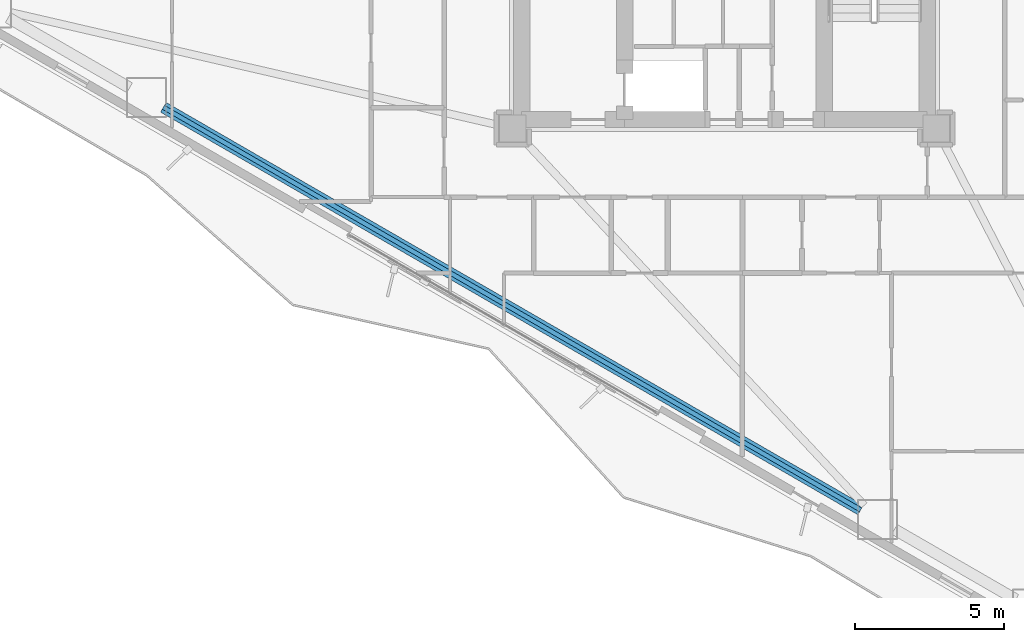
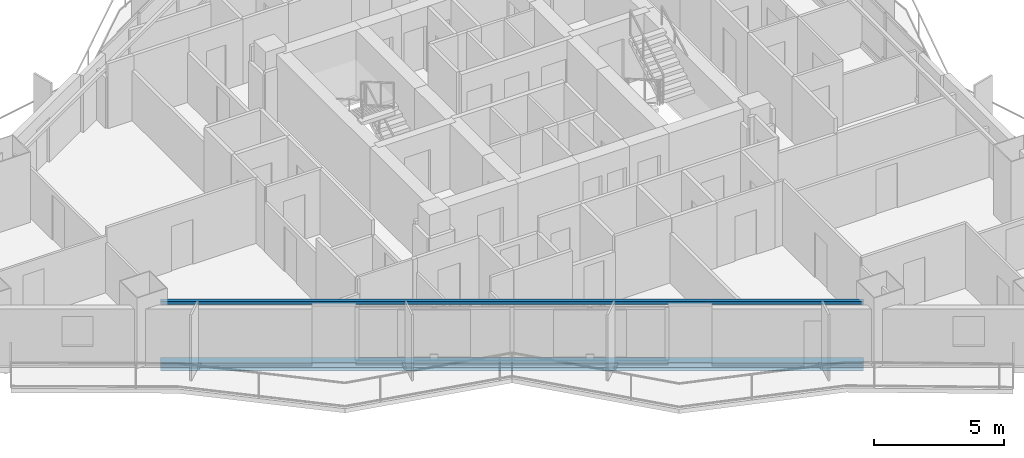
# One storey, part 3 of 19: 2 beams.
"""IFC4 building model written with IfcOpenShell, lengths in metres."""

from ifc_helpers import new_model, si_unit, direction, frame, origin, origin_2d, place, context, subcontext, project, spatial, hollow_rectangle, i_section, extrude, material, material_profile, profile_set, type_object, element, save


model = new_model("IFC4")

# Units and contexts
model_context = context("Model", 3, precision=1e-05, world=origin(), true_north=direction((0.0, 1.0)))
body_context = subcontext(model_context, "Body", "Model", "MODEL_VIEW")
ifc_project = project(units=[si_unit("LENGTHUNIT", "METRE"), si_unit("AREAUNIT", "SQUARE_METRE"), si_unit("VOLUMEUNIT", "CUBIC_METRE"), si_unit("PLANEANGLEUNIT", "RADIAN"), si_unit("MASSUNIT", "GRAM", prefix="KILO")], contexts=[model_context])

# Site, building, storey
site_placement = place(None, origin())
site = spatial("IfcSite", under=ifc_project, at=site_placement, CompositionType="ELEMENT")
building_placement = place(site_placement, origin())
building = spatial("IfcBuilding", under=site, at=building_placement, Name="Mersakhor Tower and Convention Hall", CompositionType="ELEMENT")
storey_placement = place(building_placement, frame((0.0, 0.0, 29.10009765625)))
storey = spatial("IfcBuildingStorey", under=building, at=storey_placement, Name="L07", CompositionType="ELEMENT", Elevation=29.10009765625)

# Beams
ifc_material_1 = material(Name="Steel S355", Category="steel")
ifc_material_profile_1 = material_profile(ifc_material_1, hollow_rectangle(XDim=0.14990234375, YDim=0.14990234375, WallThickness=0.010009765625, at=origin_2d()), Name="SHS 150x150x10")
ifc_profile_set_1 = profile_set([ifc_material_profile_1], Name="Steel S355")
beam_type_1 = type_object("IfcBeamType", Name="BM-GRT-SHS150", PredefinedType="USERDEFINED", material=ifc_profile_set_1)
beam_1_placement = place(storey_placement, frame((33.566162109375, 7.6591796875, 2.47998046875), z_axis=(-0.866025970279, 0.499999018801, 0.0), x_axis=(-0.499999018801, -0.866025970279, 0.0)))
element("IfcBeam", 1, at=beam_1_placement, inside=storey, type_object=beam_type_1, Name="L07 Facade Support Girt GRT-F3", ObjectType="GIRT", PredefinedType="USERDEFINED", context=body_context, shape_type="SweptSolid", body=[
    extrude(hollow_rectangle(XDim=0.14990234375, YDim=0.14990234375, WallThickness=0.010009765625, at=origin_2d()), origin(), (0.0, 0.0, 1.0), 26.99951171875),
])
ifc_material_2 = material(Name="Steel S355", Category="steel")
ifc_material_profile_2 = material_profile(ifc_material_2, i_section(OverallWidth=0.374755859375, OverallDepth=0.37451171875, WebThickness=0.0166015625, FlangeThickness=0.027099609375, at=origin_2d()), Name="UC 356x368x202")
ifc_profile_set_2 = profile_set([ifc_material_profile_2], Name="Steel S355")
beam_type_2 = type_object("IfcBeamType", Name="BM-SPD-UC356", PredefinedType="SPANDREL", material=ifc_profile_set_2)
beam_2_placement = place(storey_placement, frame((33.566162109375, 7.6591796875, -0.447509765625), z_axis=(-0.866025970279, 0.499999018801, 0.0), x_axis=(-0.499999018801, -0.866025970279, 0.0)))
element("IfcBeam", 2, at=beam_2_placement, inside=storey, type_object=beam_type_2, Name="L07 Perimeter Spandrel Beam SPB-10", PredefinedType="SPANDREL", context=body_context, shape_type="SweptSolid", body=[
    extrude(i_section(OverallWidth=0.374755859375, OverallDepth=0.37451171875, WebThickness=0.0166015625, FlangeThickness=0.027099609375, at=origin_2d()), origin(), (0.0, 0.0, 1.0), 26.99951171875),
])

save(model, "model.ifc")
